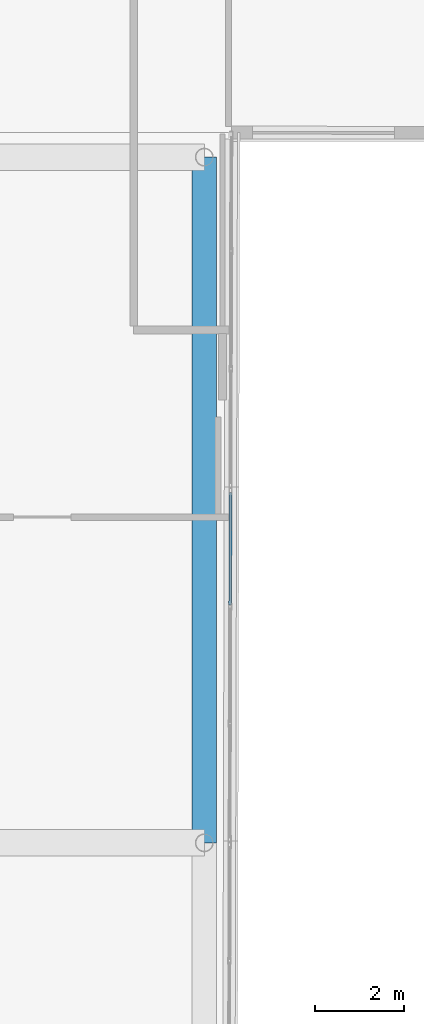
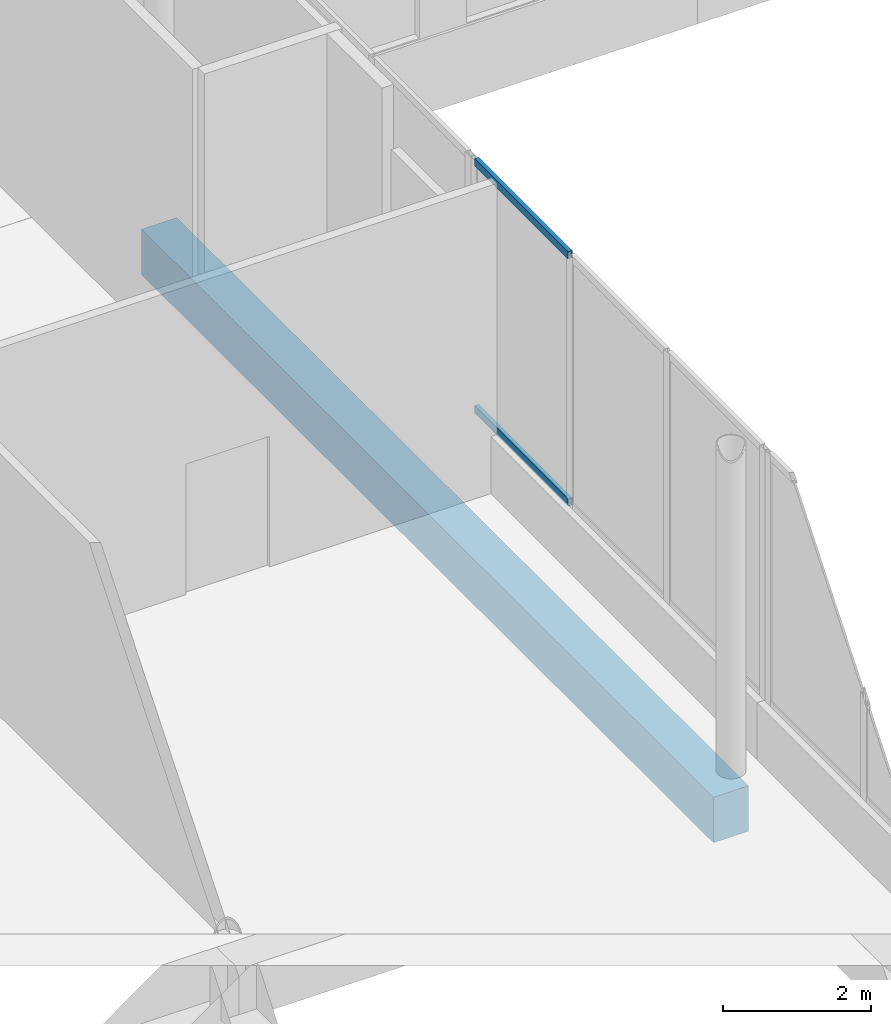
# One storey, part 82 of 158: 2 members, 1 beam, 1 element without a shape of its own.
"""IFC4 building model written with IfcOpenShell, lengths in metres."""

from ifc_helpers import new_model, si_unit, direction, frame, origin, origin_2d, place, context, subcontext, project, spatial, rectangle, hollow_rectangle, extrude, material, material_profile, profile_set, type_object, element, aggregate, save


model = new_model("IFC4")

# Units and contexts
model_context = context("Model", 3, precision=1e-05, world=origin(), true_north=direction((0.0, 1.0)))
body_context = subcontext(model_context, "Body", "Model", "MODEL_VIEW")
ifc_project = project(units=[si_unit("LENGTHUNIT", "METRE"), si_unit("AREAUNIT", "SQUARE_METRE"), si_unit("VOLUMEUNIT", "CUBIC_METRE"), si_unit("PLANEANGLEUNIT", "RADIAN"), si_unit("MASSUNIT", "GRAM", prefix="KILO")], contexts=[model_context])

# Site, building, storey
site_placement = place(None, origin())
site = spatial("IfcSite", under=ifc_project, at=site_placement, CompositionType="ELEMENT")
building_placement = place(site_placement, origin())
building = spatial("IfcBuilding", under=site, at=building_placement, Name="Selatvlak General Hospital", CompositionType="ELEMENT")
storey_placement = place(building_placement, origin())
storey = spatial("IfcBuildingStorey", under=building, at=storey_placement, Name="L00", CompositionType="ELEMENT", Elevation=0.0)

# Beam
ifc_material_1 = material(Name="Concrete C40/50", Category="concrete")
ifc_material_profile_1 = material_profile(ifc_material_1, rectangle(XDim=0.550048828125, YDim=0.75, at=origin_2d()), Name="RC-BM 550x750")
ifc_profile_set_1 = profile_set([ifc_material_profile_1], Name="Concrete C40/50")
beam_type = type_object("IfcBeamType", Name="BM-G02", PredefinedType="BEAM", material=ifc_profile_set_1)
beam_placement = place(storey_placement, frame((81.050048828125, 68.0, -0.72509765625), z_axis=(0.0, 1.0, 0.0), x_axis=(-1.0, 0.0, 0.0)))
element("IfcBeam", 1, at=beam_placement, inside=storey, type_object=beam_type, Name="Beam BMR-L00-0214", PredefinedType="BEAM", context=body_context, shape_type="SweptSolid", body=[
    extrude(rectangle(XDim=0.550048828125, YDim=0.75, at=origin_2d()), origin(), (0.0, 0.0, 1.0), 15.449951171875),
])

# Curtain wall, members
ifc_material_2 = material(Name="Solar-control Low-E double glazing", Category="glass")
curtain_wall_type = type_object("IfcCurtainWallType", Name="CW-CW-01", PredefinedType="USERDEFINED", material=ifc_material_2)
curtain_wall_placement = place(storey_placement, origin())
curtain_wall = element("IfcCurtainWall", 2, at=curtain_wall_placement, inside=storey, type_object=curtain_wall_type, Name="Glazed facade curtain wall CW-L00-0106", ObjectType="UNITISED CURTAIN WALL", PredefinedType="USERDEFINED")
ifc_material_3 = material(Name="Dark anodised aluminium mullion", Category="aluminium")
ifc_material_profile_2 = material_profile(ifc_material_3, hollow_rectangle(XDim=0.06494140625, YDim=0.1201171875, WallThickness=0.00390625, at=origin_2d()), Name="AL-TRN 65x120x4")
ifc_profile_set_2 = profile_set([ifc_material_profile_2], Name="Dark anodised aluminium mullion")
member_type = type_object("IfcMemberType", Name="CWT-01", PredefinedType="USERDEFINED", material=ifc_profile_set_2)
member_1_placement = place(storey_placement, frame((81.639892578125, 75.889892578125, 0.972412109375), z_axis=(-0.002599644595, -0.999996620918, 0.0), x_axis=(0.999996620918, -0.002599644595, 0.0)))
member_1 = element("IfcMember", 3, at=member_1_placement, type_object=member_type, Name="CW-01 transom 1.1", ObjectType="TRANSOM", PredefinedType="USERDEFINED", context=body_context, shape_type="SweptSolid", body=[
    extrude(hollow_rectangle(XDim=0.06494140625, YDim=0.1201171875, WallThickness=0.00390625, at=origin_2d()), origin(), (0.0, 0.0, 1.0), 2.53564453125),
])
member_2_placement = place(storey_placement, frame((81.639892578125, 75.889892578125, 5.047607421875), z_axis=(-0.002599644595, -0.999996620918, 0.0), x_axis=(0.999996620918, -0.002599644595, 0.0)))
member_2 = element("IfcMember", 4, at=member_2_placement, type_object=member_type, Name="CW-01 transom 1.2", ObjectType="TRANSOM", PredefinedType="USERDEFINED", context=body_context, shape_type="SweptSolid", body=[
    extrude(hollow_rectangle(XDim=0.06494140625, YDim=0.1201171875, WallThickness=0.00390625, at=origin_2d()), origin(), (0.0, 0.0, 1.0), 2.53564453125),
])
aggregate(curtain_wall, [member_1, member_2])

save(model, "model.ifc")
